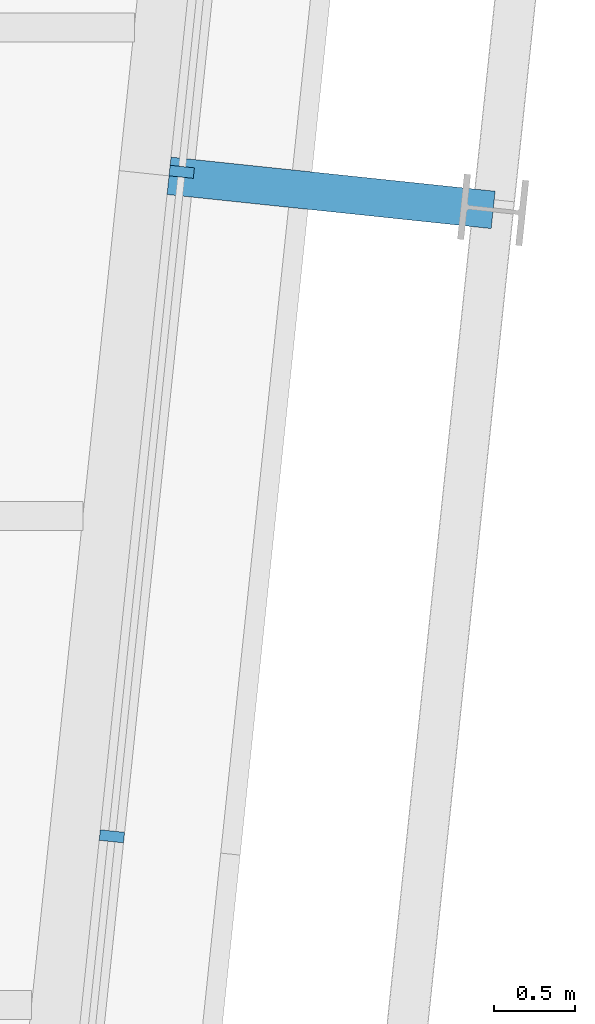
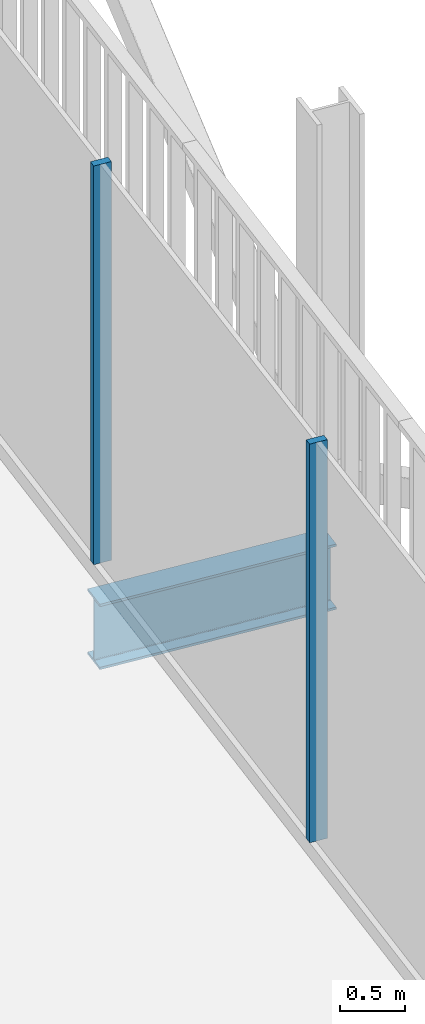
# One storey, part 11 of 21: 2 members, 1 beam, 1 element without a shape of its own.
"""IFC4 building model written with IfcOpenShell, lengths in metres."""

from ifc_helpers import new_model, si_unit, direction, frame, origin, origin_2d, place, context, subcontext, project, spatial, rectangle, i_section, extrude, material, layer, layer_set, material_profile, profile_set, type_object, element, aggregate, save


model = new_model("IFC4")

# Units and contexts
model_context = context("Model", 3, precision=1e-05, world=origin(), true_north=direction((0.0, 1.0)))
body_context = subcontext(model_context, "Body", "Model", "MODEL_VIEW")
ifc_project = project(units=[si_unit("LENGTHUNIT", "METRE"), si_unit("AREAUNIT", "SQUARE_METRE"), si_unit("VOLUMEUNIT", "CUBIC_METRE"), si_unit("PLANEANGLEUNIT", "RADIAN"), si_unit("MASSUNIT", "GRAM", prefix="KILO")], contexts=[model_context])

# Site, building, storey
site_placement = place(None, origin())
site = spatial("IfcSite", under=ifc_project, at=site_placement, CompositionType="ELEMENT")
building_placement = place(site_placement, origin())
building = spatial("IfcBuilding", under=site, at=building_placement, Name="Millrace Tower", CompositionType="ELEMENT")
storey_placement = place(building_placement, frame((0.0, 0.0, 334.300048828125)))
storey = spatial("IfcBuildingStorey", under=building, at=storey_placement, Name="L77", CompositionType="ELEMENT", Elevation=334.300048828125)

# Curtain wall, members
ifc_material_1 = material(Name="Aluminium and glass", Category="aluminium")
ifc_layer = layer(ifc_material_1, 0.14990234375)
ifc_layer_set = layer_set([ifc_layer], Name="Aluminium and glass")
curtain_wall_type = type_object("IfcCurtainWallType", Name="CW-1 office vision curtain wall", PredefinedType="NOTDEFINED", material=ifc_layer_set)
curtain_wall_placement = place(storey_placement, origin())
curtain_wall = element("IfcCurtainWall", 1, at=curtain_wall_placement, inside=storey, type_object=curtain_wall_type, Name="Curtain wall E-F04 L77", PredefinedType="NOTDEFINED")
ifc_material_2 = material(Name="Aluminium", Category="aluminium")
ifc_material_profile_1 = material_profile(ifc_material_2, rectangle(XDim=0.06494140625, YDim=0.14990234375, at=origin_2d()))
ifc_profile_set_1 = profile_set([ifc_material_profile_1], Name="Aluminium")
member_type = type_object("IfcMemberType", Name="CW-1 office vision curtain wall mullion", PredefinedType="MULLION", material=ifc_profile_set_1)
member_1_placement = place(storey_placement, frame((23.11767578125, 4.03515625, 0.139892578125), z_axis=(0.0, 0.0, 1.0), x_axis=(0.104528455196, 0.994521896217, 0.0)))
member_1 = element("IfcMember", 2, at=member_1_placement, type_object=member_type, Name="CW1 mullion E-F04.6", PredefinedType="MULLION", context=body_context, shape_type="SweptSolid", body=[
    extrude(rectangle(XDim=0.06494140625, YDim=0.14990234375, at=origin_2d()), origin(), (0.0, 0.0, 1.0), 3.760009765625),
])
member_2_placement = place(storey_placement, frame((23.546142578125, 8.11279296875, 0.139892578125), z_axis=(0.0, 0.0, 1.0), x_axis=(0.104528455196, 0.994521896217, 0.0)))
member_2 = element("IfcMember", 3, at=member_2_placement, type_object=member_type, Name="CW1 mullion E-F04.7", PredefinedType="MULLION", context=body_context, shape_type="SweptSolid", body=[
    extrude(rectangle(XDim=0.06494140625, YDim=0.14990234375, at=origin_2d()), origin(), (0.0, 0.0, 1.0), 3.760009765625),
])
aggregate(curtain_wall, [member_1, member_2])

# Beam
ifc_material_3 = material(Name="Steel ASTM A992 Grade 50", Category="steel")
ifc_material_profile_2 = material_profile(ifc_material_3, i_section(OverallWidth=0.23046875, OverallDepth=0.6171875, WebThickness=0.01318359375, FlangeThickness=0.022216796875, FilletRadius=0.012939453125, at=origin_2d()))
ifc_profile_set_2 = profile_set([ifc_material_profile_2], Name="Steel ASTM A992 Grade 50")
beam_type = type_object("IfcBeamType", Name="Link beam W24x94", PredefinedType="BEAM", material=ifc_profile_set_2)
beam_placement = place(storey_placement, frame((23.46826171875, 8.08837890625, -0.46875), z_axis=(0.994512808172, -0.104614886044, 0.0), x_axis=(0.104614886044, 0.994512808172, 0.0)))
element("IfcBeam", 4, at=beam_placement, inside=storey, type_object=beam_type, Name="LNK-E-L77-S1-10", PredefinedType="BEAM", context=body_context, shape_type="SweptSolid", body=[
    extrude(i_section(OverallWidth=0.23046875, OverallDepth=0.6171875, WebThickness=0.01318359375, FlangeThickness=0.022216796875, FilletRadius=0.012939453125, at=origin_2d()), origin(), (0.0, 0.0, 1.0), 2.0),
])

save(model, "model.ifc")
